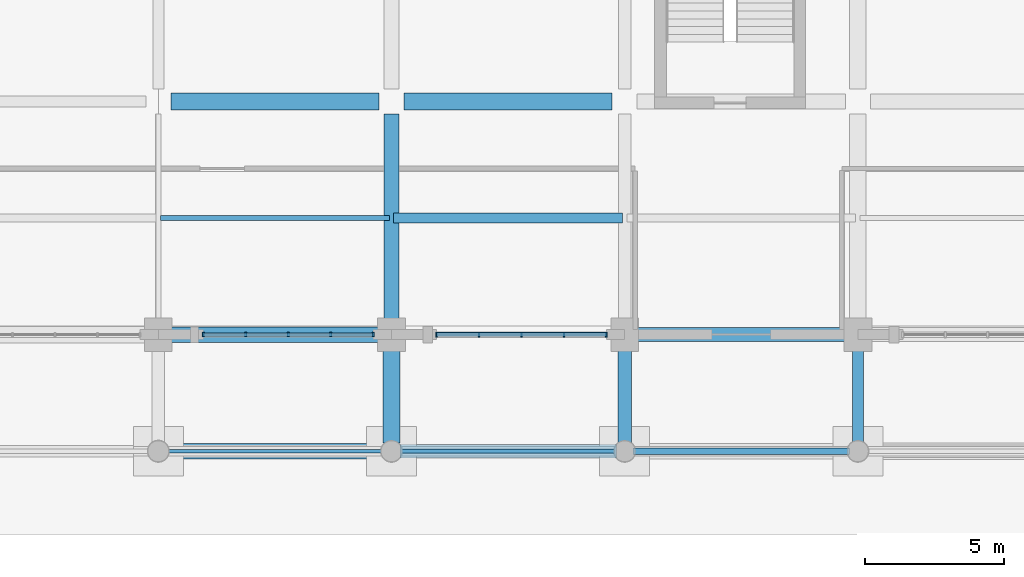
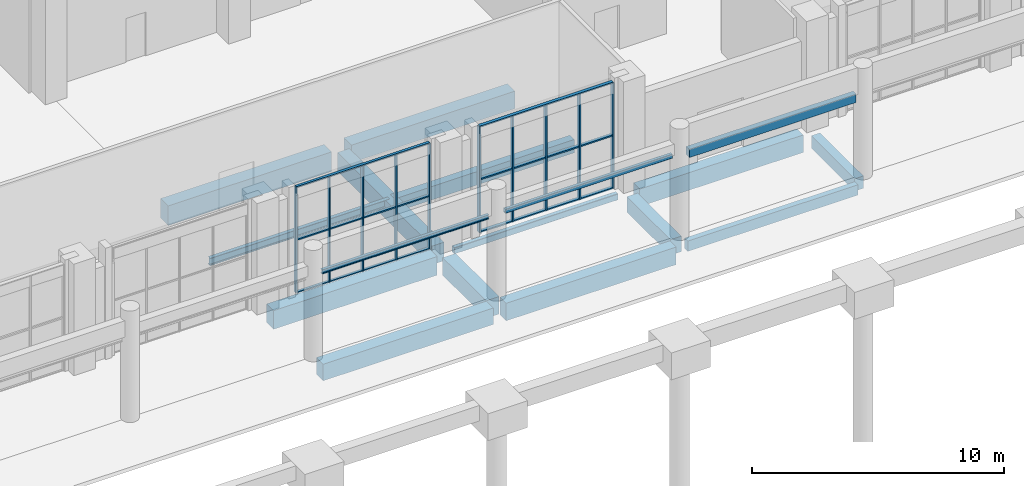
# One storey, part 47 of 82: 17 beams, 16 members, 2 elements without a shape of their own.
"""IFC4 building model written with IfcOpenShell, lengths in metres."""

from ifc_helpers import new_model, si_unit, derived_unit, direction, frame, origin, origin_2d, place, context, subcontext, project, spatial, rectangle, hollow_rectangle, i_section, extrude, material, material_profile, profile_set, type_object, element, aggregate, save


model = new_model("IFC4")

# Units and contexts
model_context = context("Model", 3, precision=1e-05, world=origin(), true_north=direction((0.0, 1.0)))
body_context = subcontext(model_context, "Body", "Model", "MODEL_VIEW")
ifc_project = project(units=[si_unit("LENGTHUNIT", "METRE"), si_unit("AREAUNIT", "SQUARE_METRE"), si_unit("VOLUMEUNIT", "CUBIC_METRE"), si_unit("PLANEANGLEUNIT", "RADIAN"), si_unit("MASSUNIT", "GRAM", prefix="KILO"), derived_unit("THERMALTRANSMITTANCEUNIT", [(si_unit("POWERUNIT", "WATT"), 1), (si_unit("LENGTHUNIT", "METRE"), -2), (si_unit("THERMODYNAMICTEMPERATUREUNIT", "KELVIN"), -1)])], contexts=[model_context])

# Site, building, storey
site_placement = place(None, origin())
site = spatial("IfcSite", under=ifc_project, at=site_placement, CompositionType="ELEMENT")
building_placement = place(site_placement, origin())
building = spatial("IfcBuilding", under=site, at=building_placement, Name="Barrovel Congress Hotel", CompositionType="ELEMENT")
storey_placement = place(building_placement, origin())
storey = spatial("IfcBuildingStorey", under=building, at=storey_placement, Name="L00", CompositionType="ELEMENT", Elevation=0.0)

# Beams
ifc_material_1 = material(Name="Concrete C40", Category="concrete")
ifc_material_profile_1 = material_profile(ifc_material_1, rectangle(XDim=0.25, YDim=0.39990234375, at=origin_2d()), Name="RC250x400")
ifc_profile_set_1 = profile_set([ifc_material_profile_1], Name="Concrete C40")
beam_type_1 = type_object("IfcBeamType", Name="BM-RC250x400", PredefinedType="LINTEL", material=ifc_profile_set_1)
beam_1_placement = place(storey_placement, frame((143.175048828125, 0.0, 3.89990234375), z_axis=(1.0, 0.0, 0.0), x_axis=(0.0, 1.0, 0.0)))
element("IfcBeam", 1, at=beam_1_placement, inside=storey, type_object=beam_type_1, Name="LIN:L00:142.8-151.2", PredefinedType="LINTEL", context=body_context, shape_type="SweptSolid", body=[
    extrude(rectangle(XDim=0.25, YDim=0.39990234375, at=origin_2d()), origin(), (0.0, 0.0, 1.0), 7.64990234375),
])
ifc_material_profile_2 = material_profile(ifc_material_1, rectangle(XDim=0.25, YDim=0.5, at=origin_2d()), Name="RC250x500")
ifc_profile_set_2 = profile_set([ifc_material_profile_2], Name="Concrete C40")
beam_type_2 = type_object("IfcBeamType", Name="BM-RC250x500", PredefinedType="SPANDREL", material=ifc_profile_set_2)
beam_2_placement = place(storey_placement, frame((143.10009765625, 0.0, -0.570068359375), z_axis=(1.0, 0.0, 0.0), x_axis=(0.0, 1.0, 0.0)))
element("IfcBeam", 2, at=beam_2_placement, inside=storey, type_object=beam_type_2, Name="BMX:L00:0.0:142.8-151.2", PredefinedType="SPANDREL", context=body_context, shape_type="SweptSolid", body=[
    extrude(rectangle(XDim=0.25, YDim=0.5, at=origin_2d()), origin(), (0.0, 0.0, 1.0), 7.7998046875),
])
ifc_material_profile_3 = material_profile(ifc_material_1, rectangle(XDim=0.35009765625, YDim=0.64990234375, at=origin_2d()), Name="RC350x650")
ifc_profile_set_3 = profile_set([ifc_material_profile_3], Name="Concrete C40")
beam_type_3 = type_object("IfcBeamType", Name="BM-RC350x650", PredefinedType="JOIST", material=ifc_profile_set_3)
beam_3_placement = place(storey_placement, frame((134.47998046875, 8.39990234375, -0.64501953125), z_axis=(1.0, 0.0, 0.0), x_axis=(0.0, 1.0, 0.0)))
element("IfcBeam", 3, at=beam_3_placement, inside=storey, type_object=beam_type_3, Name="JST:L00:134.4:8.4", PredefinedType="JOIST", context=body_context, shape_type="SweptSolid", body=[
    extrude(rectangle(XDim=0.35009765625, YDim=0.64990234375, at=origin_2d()), origin(), (0.0, 0.0, 1.0), 8.239990234375),
])
ifc_material_profile_4 = material_profile(ifc_material_1, rectangle(XDim=0.39990234375, YDim=0.60009765625, at=origin_2d()), Name="RC400x600")
ifc_profile_set_4 = profile_set([ifc_material_profile_4], Name="Concrete C40")
beam_type_4 = type_object("IfcBeamType", Name="BM-RC400x600", PredefinedType="BEAM", material=ifc_profile_set_4)
beam_4_placement = place(storey_placement, frame((151.199951171875, 0.300048828125, -0.6201171875), z_axis=(0.0, 1.0, 0.0), x_axis=(-1.0, 0.0, 0.0)))
element("IfcBeam", 4, at=beam_4_placement, inside=storey, type_object=beam_type_4, Name="BMY:L00:151.2:0.0-4.2", PredefinedType="BEAM", context=body_context, shape_type="SweptSolid", body=[
    extrude(rectangle(XDim=0.39990234375, YDim=0.60009765625, at=origin_2d()), origin(), (0.0, 0.0, 1.0), 3.449951171875),
])
ifc_material_profile_5 = material_profile(ifc_material_1, rectangle(XDim=0.5, YDim=0.75, at=origin_2d()), Name="RC500x750")
ifc_profile_set_5 = profile_set([ifc_material_profile_5], Name="Concrete C40")
beam_type_5 = type_object("IfcBeamType", Name="BM-RC500x750", PredefinedType="BEAM", material=ifc_profile_set_5)
beam_5_placement = place(storey_placement, frame((142.800048828125, 0.300048828125, -0.695068359375), z_axis=(0.0, 1.0, 0.0), x_axis=(-1.0, 0.0, 0.0)))
element("IfcBeam", 5, at=beam_5_placement, inside=storey, type_object=beam_type_5, Name="BMY:L00:142.8:0.0-4.2", PredefinedType="BEAM", context=body_context, shape_type="SweptSolid", body=[
    extrude(rectangle(XDim=0.5, YDim=0.75, at=origin_2d()), origin(), (0.0, 0.0, 1.0), 3.449951171875),
])
ifc_material_profile_6 = material_profile(ifc_material_1, rectangle(XDim=0.5, YDim=0.85009765625, at=origin_2d()), Name="RC500x850")
ifc_profile_set_6 = profile_set([ifc_material_profile_6], Name="Concrete C40")
beam_type_6 = type_object("IfcBeamType", Name="BM-RC500x850", PredefinedType="BEAM", material=ifc_profile_set_6)
beam_6_placement = place(storey_placement, frame((134.699951171875, 0.0, -0.7451171875), z_axis=(1.0, 0.0, 0.0), x_axis=(0.0, 1.0, 0.0)))
element("IfcBeam", 6, at=beam_6_placement, inside=storey, type_object=beam_type_6, Name="BMX:L00:0.0:134.4-142.8", PredefinedType="BEAM", context=body_context, shape_type="SweptSolid", body=[
    extrude(rectangle(XDim=0.5, YDim=0.85009765625, at=origin_2d()), origin(), (0.0, 0.0, 1.0), 7.800048828125),
])
beam_7_placement = place(storey_placement, frame((143.25, 4.199951171875, -0.7451171875), z_axis=(1.0, 0.0, 0.0), x_axis=(0.0, 1.0, 0.0)))
element("IfcBeam", 7, at=beam_7_placement, inside=storey, type_object=beam_type_6, Name="BMX:L00:4.2:142.8-151.2", PredefinedType="BEAM", context=body_context, shape_type="SweptSolid", body=[
    extrude(rectangle(XDim=0.5, YDim=0.85009765625, at=origin_2d()), origin(), (0.0, 0.0, 1.0), 7.5),
])
ifc_material_profile_7 = material_profile(ifc_material_1, rectangle(XDim=0.550048828125, YDim=0.800048828125, at=origin_2d()), Name="RC550x800")
ifc_profile_set_7 = profile_set([ifc_material_profile_7], Name="Concrete C40")
beam_type_7 = type_object("IfcBeamType", Name="BM-RC550x800", PredefinedType="BEAM", material=ifc_profile_set_7)
beam_8_placement = place(storey_placement, frame((126.300048828125, 0.0, -0.719970703125), z_axis=(1.0, 0.0, 0.0), x_axis=(0.0, 1.0, 0.0)))
element("IfcBeam", 8, at=beam_8_placement, inside=storey, type_object=beam_type_7, Name="BMX:L00:0.0:126.0-134.4", PredefinedType="BEAM", context=body_context, shape_type="SweptSolid", body=[
    extrude(rectangle(XDim=0.550048828125, YDim=0.800048828125, at=origin_2d()), origin(), (0.0, 0.0, 1.0), 7.800048828125),
])
ifc_material_profile_8 = material_profile(ifc_material_1, rectangle(XDim=0.550048828125, YDim=0.89990234375, at=origin_2d()), Name="RC550x900")
ifc_profile_set_8 = profile_set([ifc_material_profile_8], Name="Concrete C40")
beam_type_8 = type_object("IfcBeamType", Name="BM-RC550x900", PredefinedType="BEAM", material=ifc_profile_set_8)
for number, where, z_axis, x_axis, name in (
    (9, (126.449951171875, 4.199951171875, -0.77001953125), (1.0, 0.0, 0.0), (0.0, 1.0, 0.0), "BMX:L00:4.2:126.0-134.4"),
    (10, (134.39990234375, 4.64990234375, -0.77001953125), (0.0, 1.0, 0.0), (-1.0, 0.0, 0.0), "BMY:L00:134.4:4.2-12.6"),
):
    element("IfcBeam", number, at=place(storey_placement, frame(where, z_axis=z_axis, x_axis=x_axis)), inside=storey, type_object=beam_type_8, Name=name, PredefinedType="BEAM", context=body_context, shape_type="SweptSolid", body=[
        extrude(rectangle(XDim=0.550048828125, YDim=0.89990234375, at=origin_2d()), origin(), (0.0, 0.0, 1.0), 7.5),
    ])
ifc_material_profile_9 = material_profile(ifc_material_1, rectangle(XDim=0.60009765625, YDim=0.85009765625, at=origin_2d()), Name="RC600x850")
ifc_profile_set_9 = profile_set([ifc_material_profile_9], Name="Concrete C40")
beam_type_9 = type_object("IfcBeamType", Name="BM-RC600x850", PredefinedType="BEAM", material=ifc_profile_set_9)
beam_9_placement = place(storey_placement, frame((134.85009765625, 12.60009765625, -0.7451171875), z_axis=(1.0, 0.0, 0.0), x_axis=(0.0, 1.0, 0.0)))
element("IfcBeam", 11, at=beam_9_placement, inside=storey, type_object=beam_type_9, Name="BMX:L00:12.6:134.4-142.8", PredefinedType="BEAM", context=body_context, shape_type="SweptSolid", body=[
    extrude(rectangle(XDim=0.60009765625, YDim=0.85009765625, at=origin_2d()), origin(), (0.0, 0.0, 1.0), 7.5),
])
beam_10_placement = place(storey_placement, frame((134.39990234375, 0.300048828125, -0.7451171875), z_axis=(0.0, 1.0, 0.0), x_axis=(-1.0, 0.0, 0.0)))
element("IfcBeam", 12, at=beam_10_placement, inside=storey, type_object=beam_type_9, Name="BMY:L00:134.4:0.0-4.2", PredefinedType="BEAM", context=body_context, shape_type="SweptSolid", body=[
    extrude(rectangle(XDim=0.60009765625, YDim=0.85009765625, at=origin_2d()), origin(), (0.0, 0.0, 1.0), 3.449951171875),
])
ifc_material_profile_10 = material_profile(ifc_material_1, rectangle(XDim=0.60009765625, YDim=0.949951171875, at=origin_2d()), Name="RC600x950")
ifc_profile_set_10 = profile_set([ifc_material_profile_10], Name="Concrete C40")
beam_type_10 = type_object("IfcBeamType", Name="BM-RC600x950", PredefinedType="BEAM", material=ifc_profile_set_10)
beam_11_placement = place(storey_placement, frame((126.449951171875, 12.60009765625, -0.794921875), z_axis=(1.0, 0.0, 0.0), x_axis=(0.0, 1.0, 0.0)))
element("IfcBeam", 13, at=beam_11_placement, inside=storey, type_object=beam_type_10, Name="BMX:L00:12.6:126.0-134.4", PredefinedType="BEAM", context=body_context, shape_type="SweptSolid", body=[
    extrude(rectangle(XDim=0.60009765625, YDim=0.949951171875, at=origin_2d()), origin(), (0.0, 0.0, 1.0), 7.5),
])

# Curtain wall, members
ifc_material_2 = material(Name="Anodised Aluminium Alloy 6063-T6", Category="aluminium")
curtain_wall_type = type_object("IfcCurtainWallType", Name="CW-ST-7200x4800", PredefinedType="USERDEFINED", material=ifc_material_2)
curtain_wall_1_placement = place(storey_placement, origin())
curtain_wall_1 = element("IfcCurtainWall", 14, at=curtain_wall_1_placement, inside=storey, type_object=curtain_wall_type, Name="CW:L00:S:15", ObjectType="STICK CURTAIN WALL", PredefinedType="USERDEFINED")
ifc_material_profile_11 = material_profile(ifc_material_2, rectangle(XDim=0.06005859375, YDim=0.1650390625, at=origin_2d()), Name="AL-M60x165")
ifc_profile_set_11 = profile_set([ifc_material_profile_11], Name="Anodised Aluminium Alloy 6063-T6")
member_type_1 = type_object("IfcMemberType", Name="CWM-AL-M60x165", PredefinedType="MULLION", material=ifc_profile_set_11)
member_1_placement = place(storey_placement, frame((127.6201171875, 4.199951171875, 0.0), z_axis=(0.0, 0.0, 1.0), x_axis=(1.0, 0.0, 0.0)))
member_1 = element("IfcMember", 15, at=member_1_placement, type_object=member_type_1, Name="CW:L00:S:15:M0", PredefinedType="MULLION", context=body_context, shape_type="SweptSolid", body=[
    extrude(rectangle(XDim=0.06005859375, YDim=0.1650390625, at=origin_2d()), origin(), (0.0, 0.0, 1.0), 5.1201171875),
])
member_2_placement = place(storey_placement, frame((129.14990234375, 4.199951171875, 0.0), z_axis=(0.0, 0.0, 1.0), x_axis=(1.0, 0.0, 0.0)))
member_2 = element("IfcMember", 16, at=member_2_placement, type_object=member_type_1, Name="CW:L00:S:15:M1", PredefinedType="MULLION", context=body_context, shape_type="SweptSolid", body=[
    extrude(rectangle(XDim=0.06005859375, YDim=0.1650390625, at=origin_2d()), origin(), (0.0, 0.0, 1.0), 5.1201171875),
])
member_3_placement = place(storey_placement, frame((130.679931640625, 4.199951171875, 0.0), z_axis=(0.0, 0.0, 1.0), x_axis=(1.0, 0.0, 0.0)))
member_3 = element("IfcMember", 17, at=member_3_placement, type_object=member_type_1, Name="CW:L00:S:15:M2", PredefinedType="MULLION", context=body_context, shape_type="SweptSolid", body=[
    extrude(rectangle(XDim=0.06005859375, YDim=0.1650390625, at=origin_2d()), origin(), (0.0, 0.0, 1.0), 5.1201171875),
])
member_4_placement = place(storey_placement, frame((132.2099609375, 4.199951171875, 0.0), z_axis=(0.0, 0.0, 1.0), x_axis=(1.0, 0.0, 0.0)))
member_4 = element("IfcMember", 18, at=member_4_placement, type_object=member_type_1, Name="CW:L00:S:15:M3", PredefinedType="MULLION", context=body_context, shape_type="SweptSolid", body=[
    extrude(rectangle(XDim=0.06005859375, YDim=0.1650390625, at=origin_2d()), origin(), (0.0, 0.0, 1.0), 5.1201171875),
])
member_5_placement = place(storey_placement, frame((133.739990234375, 4.199951171875, 0.0), z_axis=(0.0, 0.0, 1.0), x_axis=(1.0, 0.0, 0.0)))
member_5 = element("IfcMember", 19, at=member_5_placement, type_object=member_type_1, Name="CW:L00:S:15:M4", PredefinedType="MULLION", context=body_context, shape_type="SweptSolid", body=[
    extrude(rectangle(XDim=0.06005859375, YDim=0.1650390625, at=origin_2d()), origin(), (0.0, 0.0, 1.0), 5.1201171875),
])

curtain_wall_2_placement = place(storey_placement, origin())
curtain_wall_2 = element("IfcCurtainWall", 20, at=curtain_wall_2_placement, inside=storey, type_object=curtain_wall_type, Name="CW:L00:S:16", ObjectType="STICK CURTAIN WALL", PredefinedType="USERDEFINED")
ifc_material_profile_12 = material_profile(ifc_material_2, rectangle(XDim=0.06494140625, YDim=0.18994140625, at=origin_2d()), Name="AL-M65x190")
ifc_profile_set_12 = profile_set([ifc_material_profile_12], Name="Anodised Aluminium Alloy 6063-T6")
member_type_2 = type_object("IfcMemberType", Name="CWM-AL-M65x190", PredefinedType="MULLION", material=ifc_profile_set_12)
member_6_placement = place(storey_placement, frame((136.02001953125, 4.199951171875, 0.0), z_axis=(0.0, 0.0, 1.0), x_axis=(1.0, 0.0, 0.0)))
member_6 = element("IfcMember", 21, at=member_6_placement, type_object=member_type_2, Name="CW:L00:S:16:M0", PredefinedType="MULLION", context=body_context, shape_type="SweptSolid", body=[
    extrude(rectangle(XDim=0.06494140625, YDim=0.18994140625, at=origin_2d()), origin(), (0.0, 0.0, 1.0), 5.1201171875),
])
member_7_placement = place(storey_placement, frame((137.550048828125, 4.199951171875, 0.0), z_axis=(0.0, 0.0, 1.0), x_axis=(1.0, 0.0, 0.0)))
member_7 = element("IfcMember", 22, at=member_7_placement, type_object=member_type_2, Name="CW:L00:S:16:M1", PredefinedType="MULLION", context=body_context, shape_type="SweptSolid", body=[
    extrude(rectangle(XDim=0.06494140625, YDim=0.18994140625, at=origin_2d()), origin(), (0.0, 0.0, 1.0), 5.1201171875),
])
member_8_placement = place(storey_placement, frame((139.080078125, 4.199951171875, 0.0), z_axis=(0.0, 0.0, 1.0), x_axis=(1.0, 0.0, 0.0)))
member_8 = element("IfcMember", 23, at=member_8_placement, type_object=member_type_2, Name="CW:L00:S:16:M2", PredefinedType="MULLION", context=body_context, shape_type="SweptSolid", body=[
    extrude(rectangle(XDim=0.06494140625, YDim=0.18994140625, at=origin_2d()), origin(), (0.0, 0.0, 1.0), 5.1201171875),
])
member_9_placement = place(storey_placement, frame((140.610107421875, 4.199951171875, 0.0), z_axis=(0.0, 0.0, 1.0), x_axis=(1.0, 0.0, 0.0)))
member_9 = element("IfcMember", 24, at=member_9_placement, type_object=member_type_2, Name="CW:L00:S:16:M3", PredefinedType="MULLION", context=body_context, shape_type="SweptSolid", body=[
    extrude(rectangle(XDim=0.06494140625, YDim=0.18994140625, at=origin_2d()), origin(), (0.0, 0.0, 1.0), 5.1201171875),
])
member_10_placement = place(storey_placement, frame((142.139892578125, 4.199951171875, 0.0), z_axis=(0.0, 0.0, 1.0), x_axis=(1.0, 0.0, 0.0)))
member_10 = element("IfcMember", 25, at=member_10_placement, type_object=member_type_2, Name="CW:L00:S:16:M4", PredefinedType="MULLION", context=body_context, shape_type="SweptSolid", body=[
    extrude(rectangle(XDim=0.06494140625, YDim=0.18994140625, at=origin_2d()), origin(), (0.0, 0.0, 1.0), 5.1201171875),
])

# Member
ifc_material_profile_13 = material_profile(ifc_material_2, rectangle(XDim=0.125, YDim=0.06005859375, at=origin_2d()), Name="AL-T60x125")
ifc_profile_set_13 = profile_set([ifc_material_profile_13], Name="Anodised Aluminium Alloy 6063-T6")
member_type_3 = type_object("IfcMemberType", Name="CWT-AL-T60x125", PredefinedType="USERDEFINED", material=ifc_profile_set_13)
member_11_placement = place(storey_placement, frame((127.6201171875, 4.199951171875, 0.0), z_axis=(1.0, 0.0, 0.0), x_axis=(0.0, 1.0, 0.0)))
member_11 = element("IfcMember", 26, at=member_11_placement, type_object=member_type_3, Name="CW:L00:S:15:T0", ObjectType="TRANSOM", PredefinedType="USERDEFINED", context=body_context, shape_type="SweptSolid", body=[
    extrude(rectangle(XDim=0.125, YDim=0.06005859375, at=origin_2d()), origin(), (0.0, 0.0, 1.0), 6.119873046875),
])

member_12_placement = place(storey_placement, frame((127.6201171875, 4.199951171875, 2.56005859375), z_axis=(1.0, 0.0, 0.0), x_axis=(0.0, 1.0, 0.0)))
member_12 = element("IfcMember", 27, at=member_12_placement, type_object=member_type_3, Name="CW:L00:S:15:T1", ObjectType="TRANSOM", PredefinedType="USERDEFINED", context=body_context, shape_type="SweptSolid", body=[
    extrude(rectangle(XDim=0.125, YDim=0.06005859375, at=origin_2d()), origin(), (0.0, 0.0, 1.0), 6.119873046875),
])

member_13_placement = place(storey_placement, frame((127.6201171875, 4.199951171875, 5.1201171875), z_axis=(1.0, 0.0, 0.0), x_axis=(0.0, 1.0, 0.0)))
member_13 = element("IfcMember", 28, at=member_13_placement, type_object=member_type_3, Name="CW:L00:S:15:T2", ObjectType="TRANSOM", PredefinedType="USERDEFINED", context=body_context, shape_type="SweptSolid", body=[
    extrude(rectangle(XDim=0.125, YDim=0.06005859375, at=origin_2d()), origin(), (0.0, 0.0, 1.0), 6.119873046875),
])

aggregate(curtain_wall_1, [member_1, member_2, member_3, member_4, member_5, member_11, member_12, member_13])

ifc_material_profile_14 = material_profile(ifc_material_2, rectangle(XDim=0.14990234375, YDim=0.06494140625, at=origin_2d()), Name="AL-T65x150")
ifc_profile_set_14 = profile_set([ifc_material_profile_14], Name="Anodised Aluminium Alloy 6063-T6")
member_type_4 = type_object("IfcMemberType", Name="CWT-AL-T65x150", PredefinedType="USERDEFINED", material=ifc_profile_set_14)
member_14_placement = place(storey_placement, frame((136.02001953125, 4.199951171875, 0.0), z_axis=(1.0, 0.0, 0.0), x_axis=(0.0, 1.0, 0.0)))
member_14 = element("IfcMember", 29, at=member_14_placement, type_object=member_type_4, Name="CW:L00:S:16:T0", ObjectType="TRANSOM", PredefinedType="USERDEFINED", context=body_context, shape_type="SweptSolid", body=[
    extrude(rectangle(XDim=0.14990234375, YDim=0.06494140625, at=origin_2d()), origin(), (0.0, 0.0, 1.0), 6.119873046875),
])

member_15_placement = place(storey_placement, frame((136.02001953125, 4.199951171875, 2.56005859375), z_axis=(1.0, 0.0, 0.0), x_axis=(0.0, 1.0, 0.0)))
member_15 = element("IfcMember", 30, at=member_15_placement, type_object=member_type_4, Name="CW:L00:S:16:T1", ObjectType="TRANSOM", PredefinedType="USERDEFINED", context=body_context, shape_type="SweptSolid", body=[
    extrude(rectangle(XDim=0.14990234375, YDim=0.06494140625, at=origin_2d()), origin(), (0.0, 0.0, 1.0), 6.119873046875),
])

member_16_placement = place(storey_placement, frame((136.02001953125, 4.199951171875, 5.1201171875), z_axis=(1.0, 0.0, 0.0), x_axis=(0.0, 1.0, 0.0)))
member_16 = element("IfcMember", 31, at=member_16_placement, type_object=member_type_4, Name="CW:L00:S:16:T2", ObjectType="TRANSOM", PredefinedType="USERDEFINED", context=body_context, shape_type="SweptSolid", body=[
    extrude(rectangle(XDim=0.14990234375, YDim=0.06494140625, at=origin_2d()), origin(), (0.0, 0.0, 1.0), 6.119873046875),
])

aggregate(curtain_wall_2, [member_6, member_7, member_8, member_9, member_10, member_14, member_15, member_16])

# Beams
ifc_material_3 = material(Name="Steel ASTM A500 Grade C", Category="steel")
ifc_material_profile_15 = material_profile(ifc_material_3, hollow_rectangle(XDim=0.15234375, YDim=0.203125, WallThickness=0.0087890625, InnerFilletRadius=0.0087890625, OuterFilletRadius=0.017578125, at=origin_2d()), Name="HSS203x152x9.5")
ifc_profile_set_15 = profile_set([ifc_material_profile_15], Name="Steel ASTM A500 Grade C")
beam_type_11 = type_object("IfcBeamType", Name="SBM-HSS203x152x9.5", PredefinedType="LINTEL", material=ifc_profile_set_15)
beam_12_placement = place(storey_placement, frame((134.77490234375, 0.0, 3.998291015625), z_axis=(1.0, 0.0, 0.0), x_axis=(0.0, 1.0, 0.0)))
element("IfcBeam", 32, at=beam_12_placement, inside=storey, type_object=beam_type_11, Name="LIN:L00:134.4-142.8", PredefinedType="LINTEL", context=body_context, shape_type="SweptSolid", body=[
    extrude(hollow_rectangle(XDim=0.15234375, YDim=0.203125, WallThickness=0.0087890625, InnerFilletRadius=0.0087890625, OuterFilletRadius=0.017578125, at=origin_2d()), origin(), (0.0, 0.0, 1.0), 7.650146484375),
])
ifc_material_profile_16 = material_profile(ifc_material_3, hollow_rectangle(XDim=0.203125, YDim=0.3046875, WallThickness=0.01171875, InnerFilletRadius=0.01171875, OuterFilletRadius=0.023681640625, at=origin_2d()), Name="HSS305x203x12.7")
ifc_profile_set_16 = profile_set([ifc_material_profile_16], Name="Steel ASTM A500 Grade C")
beam_type_12 = type_object("IfcBeamType", Name="SBM-HSS305x203x12.7", PredefinedType="SPANDREL", material=ifc_profile_set_16)
beam_13_placement = place(storey_placement, frame((134.85009765625, 4.199951171875, -0.472412109375), z_axis=(1.0, 0.0, 0.0), x_axis=(0.0, 1.0, 0.0)))
element("IfcBeam", 33, at=beam_13_placement, inside=storey, type_object=beam_type_12, Name="BMX:L00:4.2:134.4-142.8", PredefinedType="SPANDREL", context=body_context, shape_type="SweptSolid", body=[
    extrude(hollow_rectangle(XDim=0.203125, YDim=0.3046875, WallThickness=0.01171875, InnerFilletRadius=0.01171875, OuterFilletRadius=0.023681640625, at=origin_2d()), origin(), (0.0, 0.0, 1.0), 7.5),
])
ifc_material_4 = material(Name="Steel ASTM A992 Grade 50", Category="steel")
ifc_material_profile_17 = material_profile(ifc_material_4, i_section(OverallWidth=0.133056640625, OverallDepth=0.20703125, WebThickness=0.005859375, FlangeThickness=0.00830078125, FilletRadius=0.010009765625, at=origin_2d()), Name="W200x27")
ifc_profile_set_17 = profile_set([ifc_material_profile_17], Name="Steel ASTM A992 Grade 50")
beam_type_13 = type_object("IfcBeamType", Name="SBM-W200x27", PredefinedType="LINTEL", material=ifc_profile_set_17)
beam_14_placement = place(storey_placement, frame((126.375, 0.0, 3.99658203125), z_axis=(1.0, 0.0, 0.0), x_axis=(0.0, 1.0, 0.0)))
element("IfcBeam", 34, at=beam_14_placement, inside=storey, type_object=beam_type_13, Name="LIN:L00:126.0-134.4", PredefinedType="LINTEL", context=body_context, shape_type="SweptSolid", body=[
    extrude(i_section(OverallWidth=0.133056640625, OverallDepth=0.20703125, WebThickness=0.005859375, FlangeThickness=0.00830078125, FilletRadius=0.010009765625, at=origin_2d()), origin(), (0.0, 0.0, 1.0), 7.64990234375),
])
ifc_material_profile_18 = material_profile(ifc_material_4, i_section(OverallWidth=0.1708984375, OverallDepth=0.35205078125, WebThickness=0.0068359375, FlangeThickness=0.009765625, FilletRadius=0.011962890625, at=origin_2d()), Name="W360x44")
ifc_profile_set_18 = profile_set([ifc_material_profile_18], Name="Steel ASTM A992 Grade 50")
beam_type_14 = type_object("IfcBeamType", Name="SBM-W360x44", PredefinedType="JOIST", material=ifc_profile_set_18)
beam_15_placement = place(storey_placement, frame((126.080078125, 8.39990234375, -0.49609375), z_axis=(1.0, 0.0, 0.0), x_axis=(0.0, 1.0, 0.0)))
element("IfcBeam", 35, at=beam_15_placement, inside=storey, type_object=beam_type_14, Name="JST:L00:126.0:8.4", PredefinedType="JOIST", context=body_context, shape_type="SweptSolid", body=[
    extrude(i_section(OverallWidth=0.1708984375, OverallDepth=0.35205078125, WebThickness=0.0068359375, FlangeThickness=0.009765625, FilletRadius=0.011962890625, at=origin_2d()), origin(), (0.0, 0.0, 1.0), 8.239990234375),
])

save(model, "model.ifc")
